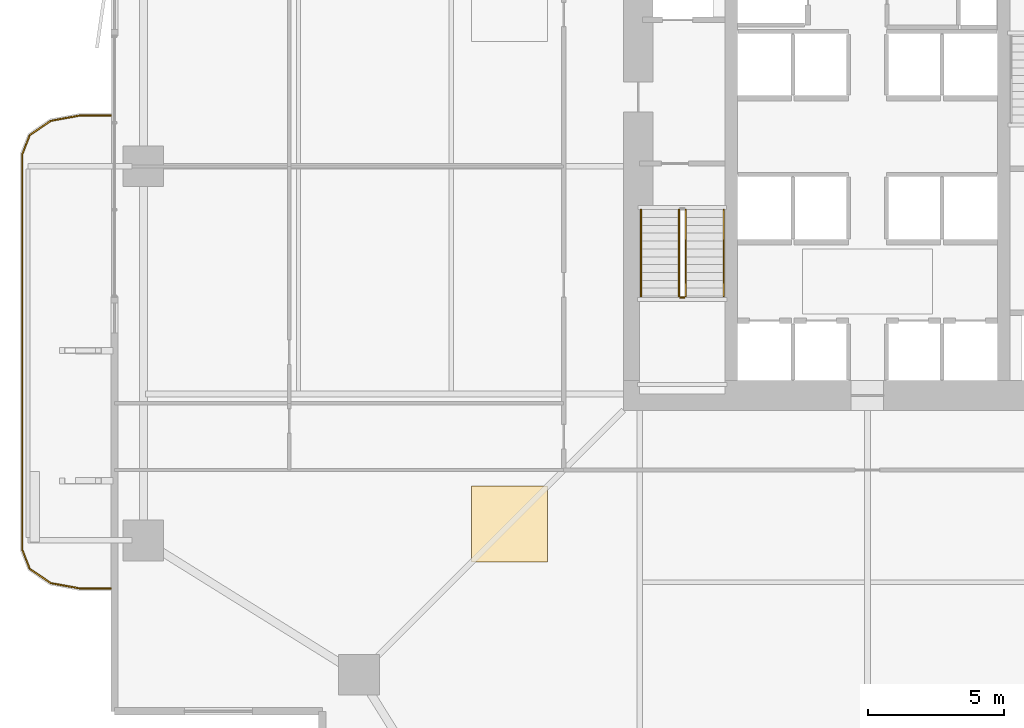
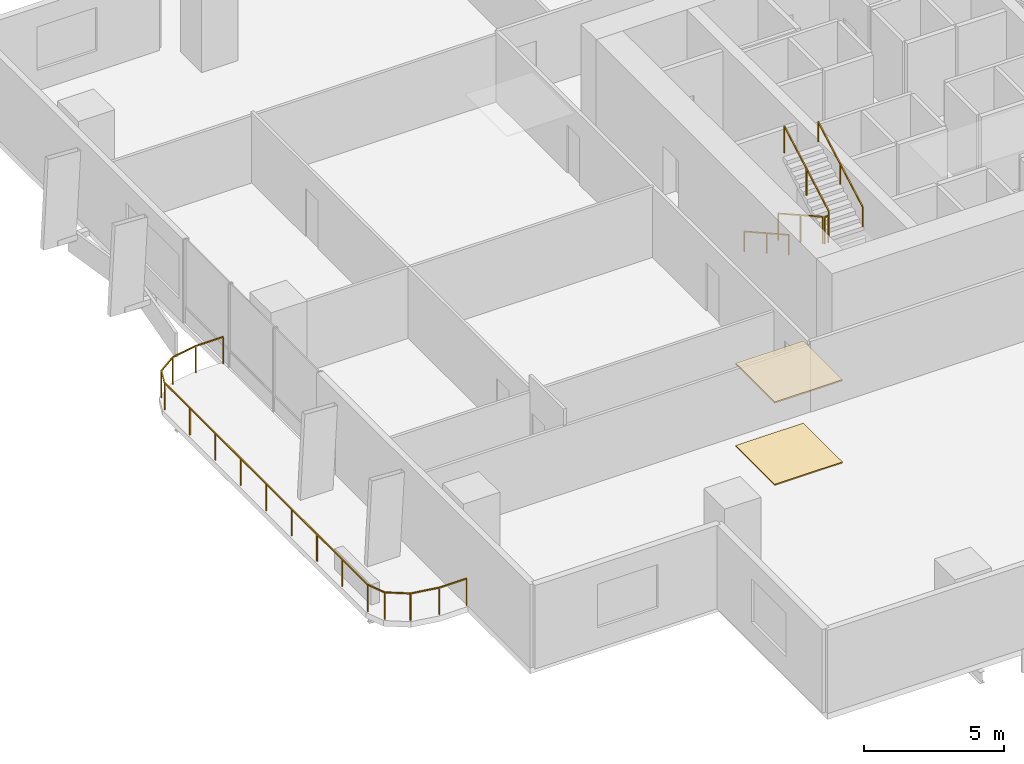
# One storey, part 21 of 24: 6 railings, 2 coverings.
"""IFC4 building model written with IfcOpenShell, lengths in metres."""

from ifc_helpers import new_model, si_unit, direction, frame, origin, origin_2d, place, context, subcontext, project, spatial, polyline, rectangle, outline, extrude, material, layer, layer_set, type_object, element, save


model = new_model("IFC4")

# Units and contexts
model_context = context("Model", 3, precision=1e-05, world=origin(), true_north=direction((0.0, 1.0)))
body_context = subcontext(model_context, "Body", "Model", "MODEL_VIEW")
ifc_project = project(units=[si_unit("LENGTHUNIT", "METRE"), si_unit("AREAUNIT", "SQUARE_METRE"), si_unit("VOLUMEUNIT", "CUBIC_METRE"), si_unit("PLANEANGLEUNIT", "RADIAN"), si_unit("MASSUNIT", "GRAM", prefix="KILO")], contexts=[model_context])

# Site, building, storey
site_placement = place(None, origin())
site = spatial("IfcSite", under=ifc_project, at=site_placement, CompositionType="ELEMENT")
building_placement = place(site_placement, origin())
building = spatial("IfcBuilding", under=site, at=building_placement, Name="Belovzor Exchange Tower", CompositionType="ELEMENT")
storey_placement = place(building_placement, frame((0.0, 0.0, 72.89990234375)))
storey = spatial("IfcBuildingStorey", under=building, at=storey_placement, Name="L17", CompositionType="ELEMENT", Elevation=72.89990234375)

# Railings
ifc_material_1 = material(Name="Stainless Steel Grade 304", Category="steel")
railing_type_1 = type_object("IfcRailingType", Name="Brushed Stainless Steel Stair Handrail 900", PredefinedType="HANDRAIL", material=ifc_material_1)
railing_1_placement = place(storey_placement, frame((20.449951171875, 27.199951171875, 0.16259765625)))
element("IfcRailing", 1, at=railing_1_placement, inside=storey, type_object=railing_type_1, Name="L17 ST-1 stair handrail 1", PredefinedType="HANDRAIL", context=body_context, shape_type="SweptSolid", body=[
    extrude(rectangle(XDim=0.048095703125, YDim=0.048095703125, at=origin_2d()), frame((0.0, 0.0, 0.8759765625), z_axis=(0.0, -0.8723625253, 0.488859514025), x_axis=(1.0, 0.0, 0.0)), (0.0, 0.0, 1.0), 3.65673828125),
    extrude(rectangle(XDim=0.0419921875, YDim=0.0419921875, at=origin_2d()), origin(), (0.0, 0.0, 1.0), 0.851806640625),
    extrude(rectangle(XDim=0.0419921875, YDim=0.0419921875, at=origin_2d()), frame((0.0, -1.594970703125, 0.893798828125)), (0.0, 0.0, 1.0), 0.851806640625),
    extrude(rectangle(XDim=0.0419921875, YDim=0.0419921875, at=origin_2d()), frame((0.0, -3.18994140625, 1.78759765625)), (0.0, 0.0, 1.0), 0.851806640625),
])
railing_2_placement = place(storey_placement, frame((23.5, 24.010009765625, 2.112548828125)))
element("IfcRailing", 2, at=railing_2_placement, inside=storey, type_object=railing_type_1, Name="L17 ST-1 stair handrail 2", PredefinedType="HANDRAIL", context=body_context, shape_type="SweptSolid", body=[
    extrude(rectangle(XDim=0.048095703125, YDim=0.048095703125, at=origin_2d()), frame((0.0, 0.0, 0.8759765625), z_axis=(0.0, 0.8723625253, 0.488859514025), x_axis=(-1.0, 0.0, 0.0)), (0.0, 0.0, 1.0), 3.65673828125),
    extrude(rectangle(XDim=0.0419921875, YDim=0.0419921875, at=origin_2d()), origin(), (0.0, 0.0, 1.0), 0.851806640625),
    extrude(rectangle(XDim=0.0419921875, YDim=0.0419921875, at=origin_2d()), frame((0.0, 1.594970703125, 0.893798828125)), (0.0, 0.0, 1.0), 0.851806640625),
    extrude(rectangle(XDim=0.0419921875, YDim=0.0419921875, at=origin_2d()), frame((0.0, 3.18994140625, 1.78759765625)), (0.0, 0.0, 1.0), 0.851806640625),
])
ifc_material_2 = material(Name="Stainless Steel and Laminated Safety Glass", Category="steel")
railing_type_2 = type_object("IfcRailingType", Name="Laminated Glass & Stainless Steel Balcony Balustrade 1200", PredefinedType="BALUSTRADE", material=ifc_material_2)
railing_3_placement = place(storey_placement, frame((0.889892578125, 30.669921875, 0.0)))
element("IfcRailing", 3, at=railing_3_placement, inside=storey, type_object=railing_type_2, Name="GR-1 Balcony Balustrade L17 West", PredefinedType="BALUSTRADE", context=body_context, shape_type="SweptSolid", body=[
    extrude(rectangle(XDim=0.048095703125, YDim=0.048095703125, at=origin_2d()), frame((0.0, 0.0, 1.17578125), z_axis=(-1.0, 0.0, 0.0), x_axis=(0.0, -1.0, 0.0)), (0.0, 0.0, 1.0), 1.1328125),
    extrude(rectangle(XDim=0.048095703125, YDim=0.048095703125, at=origin_2d()), frame((-1.1328125, 0.0, 1.17578125), z_axis=(-0.983651385113, -0.180083182347, 0.0), x_axis=(0.180083182347, -0.983651385113, 0.0)), (0.0, 0.0, 1.0), 1.093994140625),
    extrude(rectangle(XDim=0.048095703125, YDim=0.048095703125, at=origin_2d()), frame((-2.208984375, -0.197021484375, 1.17578125), z_axis=(-0.826614792125, -0.562768145367, 0.0), x_axis=(0.562768145367, -0.826614792125, 0.0)), (0.0, 0.0, 1.0), 0.9326171875),
    extrude(rectangle(XDim=0.048095703125, YDim=0.048095703125, at=origin_2d()), frame((-2.97998046875, -0.721923828125, 1.17578125), z_axis=(-0.365612923861, -0.930766990125, 0.0), x_axis=(0.930766990125, -0.365612923861, 0.0)), (0.0, 0.0, 1.0), 0.765869140625),
    extrude(rectangle(XDim=0.048095703125, YDim=0.048095703125, at=origin_2d()), frame((-3.260009765625, -1.434814453125, 1.17578125), z_axis=(0.0, -1.0, 0.0), x_axis=(1.0, 0.0, 0.0)), (0.0, 0.0, 1.0), 14.570068359375),
    extrude(rectangle(XDim=0.048095703125, YDim=0.048095703125, at=origin_2d()), frame((-3.260009765625, -16.0048828125, 1.17578125), z_axis=(0.365504480807, -0.930809580156, 0.0), x_axis=(0.930809580156, 0.365504480807, 0.0)), (0.0, 0.0, 1.0), 0.76611328125),
    extrude(rectangle(XDim=0.048095703125, YDim=0.048095703125, at=origin_2d()), frame((-2.97998046875, -16.718017578125, 1.17578125), z_axis=(0.826614792125, -0.562768145367, 0.0), x_axis=(0.562768145367, 0.826614792125, 0.0)), (0.0, 0.0, 1.0), 0.9326171875),
    extrude(rectangle(XDim=0.048095703125, YDim=0.048095703125, at=origin_2d()), frame((-2.208984375, -17.242919921875, 1.17578125), z_axis=(0.983651385113, -0.180083182347, 0.0), x_axis=(0.180083182347, 0.983651385113, 0.0)), (0.0, 0.0, 1.0), 1.093994140625),
    extrude(rectangle(XDim=0.048095703125, YDim=0.048095703125, at=origin_2d()), frame((-1.1328125, -17.43994140625, 1.17578125), z_axis=(1.0, 0.0, 0.0), x_axis=(0.0, 1.0, 0.0)), (0.0, 0.0, 1.0), 1.1328125),
    extrude(rectangle(XDim=0.0419921875, YDim=0.0419921875, at=origin_2d()), origin(), (0.0, 0.0, 1.0), 1.15185546875),
    extrude(rectangle(XDim=0.0419921875, YDim=0.0419921875, at=origin_2d()), frame((-1.1328125, 0.0, 0.0)), (0.0, 0.0, 1.0), 1.15185546875),
    extrude(rectangle(XDim=0.0419921875, YDim=0.0419921875, at=origin_2d()), frame((-2.208984375, -0.197021484375, 0.0)), (0.0, 0.0, 1.0), 1.15185546875),
    extrude(rectangle(XDim=0.0419921875, YDim=0.0419921875, at=origin_2d()), frame((-2.97998046875, -0.721923828125, 0.0)), (0.0, 0.0, 1.0), 1.15185546875),
    extrude(rectangle(XDim=0.0419921875, YDim=0.0419921875, at=origin_2d()), frame((-3.260009765625, -1.434814453125, 0.0)), (0.0, 0.0, 1.0), 1.15185546875),
    extrude(rectangle(XDim=0.0419921875, YDim=0.0419921875, at=origin_2d()), frame((-3.260009765625, -3.256103515625, 0.0)), (0.0, 0.0, 1.0), 1.15185546875),
    extrude(rectangle(XDim=0.0419921875, YDim=0.0419921875, at=origin_2d()), frame((-3.260009765625, -5.077392578125, 0.0)), (0.0, 0.0, 1.0), 1.15185546875),
    extrude(rectangle(XDim=0.0419921875, YDim=0.0419921875, at=origin_2d()), frame((-3.260009765625, -6.898681640625, 0.0)), (0.0, 0.0, 1.0), 1.15185546875),
    extrude(rectangle(XDim=0.0419921875, YDim=0.0419921875, at=origin_2d()), frame((-3.260009765625, -8.7197265625, 0.0)), (0.0, 0.0, 1.0), 1.15185546875),
    extrude(rectangle(XDim=0.0419921875, YDim=0.0419921875, at=origin_2d()), frame((-3.260009765625, -10.541015625, 0.0)), (0.0, 0.0, 1.0), 1.15185546875),
    extrude(rectangle(XDim=0.0419921875, YDim=0.0419921875, at=origin_2d()), frame((-3.260009765625, -12.3623046875, 0.0)), (0.0, 0.0, 1.0), 1.15185546875),
    extrude(rectangle(XDim=0.0419921875, YDim=0.0419921875, at=origin_2d()), frame((-3.260009765625, -14.18359375, 0.0)), (0.0, 0.0, 1.0), 1.15185546875),
    extrude(rectangle(XDim=0.0419921875, YDim=0.0419921875, at=origin_2d()), frame((-3.260009765625, -16.0048828125, 0.0)), (0.0, 0.0, 1.0), 1.15185546875),
    extrude(rectangle(XDim=0.0419921875, YDim=0.0419921875, at=origin_2d()), frame((-2.97998046875, -16.718017578125, 0.0)), (0.0, 0.0, 1.0), 1.15185546875),
    extrude(rectangle(XDim=0.0419921875, YDim=0.0419921875, at=origin_2d()), frame((-2.208984375, -17.242919921875, 0.0)), (0.0, 0.0, 1.0), 1.15185546875),
    extrude(rectangle(XDim=0.0419921875, YDim=0.0419921875, at=origin_2d()), frame((-1.1328125, -17.43994140625, 0.0)), (0.0, 0.0, 1.0), 1.15185546875),
    extrude(rectangle(XDim=0.0419921875, YDim=0.0419921875, at=origin_2d()), frame((0.0, -17.43994140625, 0.0)), (0.0, 0.0, 1.0), 1.15185546875),
])
ifc_material_3 = material(Name="Steel S355", Category="steel")
railing_type_3 = type_object("IfcRailingType", Name="Painted Steel Stairwell Guardrail 1200", PredefinedType="GUARDRAIL", material=ifc_material_3)
railing_4_placement = place(storey_placement, frame((21.85009765625, 27.199951171875, 0.16259765625)))
element("IfcRailing", 4, at=railing_4_placement, inside=storey, type_object=railing_type_3, Name="L17 ST-1 stair guard 1", PredefinedType="GUARDRAIL", context=body_context, shape_type="SweptSolid", body=[
    extrude(rectangle(XDim=0.048095703125, YDim=0.048095703125, at=origin_2d()), frame((0.0, 0.0, 1.17578125), z_axis=(0.0, -0.8723625253, 0.488859514025), x_axis=(1.0, 0.0, 0.0)), (0.0, 0.0, 1.0), 3.65673828125),
    extrude(rectangle(XDim=0.0419921875, YDim=0.0419921875, at=origin_2d()), origin(), (0.0, 0.0, 1.0), 1.15185546875),
    extrude(rectangle(XDim=0.0419921875, YDim=0.0419921875, at=origin_2d()), frame((0.0, -1.594970703125, 0.893798828125)), (0.0, 0.0, 1.0), 1.15185546875),
    extrude(rectangle(XDim=0.0419921875, YDim=0.0419921875, at=origin_2d()), frame((0.0, -3.18994140625, 1.78759765625)), (0.0, 0.0, 1.0), 1.15185546875),
])
railing_5_placement = place(storey_placement, frame((21.89990234375, 23.9599609375, 1.9501953125)))
element("IfcRailing", 5, at=railing_5_placement, inside=storey, type_object=railing_type_3, Name="L17 ST-1 stair guard 2", PredefinedType="GUARDRAIL", context=body_context, shape_type="SweptSolid", body=[
    extrude(rectangle(XDim=0.048095703125, YDim=0.048095703125, at=origin_2d()), frame((0.0, 0.0, 1.17578125), z_axis=(1.0, 0.0, 0.0), x_axis=(0.0, 1.0, 0.0)), (0.0, 0.0, 1.0), 0.150146484375),
    extrude(rectangle(XDim=0.0419921875, YDim=0.0419921875, at=origin_2d()), origin(), (0.0, 0.0, 1.0), 1.15185546875),
    extrude(rectangle(XDim=0.0419921875, YDim=0.0419921875, at=origin_2d()), frame((0.150146484375, 0.0, 0.0)), (0.0, 0.0, 1.0), 1.15185546875),
])
railing_6_placement = place(storey_placement, frame((22.10009765625, 24.010009765625, 2.112548828125)))
element("IfcRailing", 6, at=railing_6_placement, inside=storey, type_object=railing_type_3, Name="L17 ST-1 stair guard 3", PredefinedType="GUARDRAIL", context=body_context, shape_type="SweptSolid", body=[
    extrude(rectangle(XDim=0.048095703125, YDim=0.048095703125, at=origin_2d()), frame((0.0, 0.0, 1.17578125), z_axis=(0.0, 0.8723625253, 0.488859514025), x_axis=(-1.0, 0.0, 0.0)), (0.0, 0.0, 1.0), 3.65673828125),
    extrude(rectangle(XDim=0.0419921875, YDim=0.0419921875, at=origin_2d()), origin(), (0.0, 0.0, 1.0), 1.15185546875),
    extrude(rectangle(XDim=0.0419921875, YDim=0.0419921875, at=origin_2d()), frame((0.0, 1.594970703125, 0.893798828125)), (0.0, 0.0, 1.0), 1.15185546875),
    extrude(rectangle(XDim=0.0419921875, YDim=0.0419921875, at=origin_2d()), frame((0.0, 3.18994140625, 1.78759765625)), (0.0, 0.0, 1.0), 1.15185546875),
])

# Coverings
ifc_material_4 = material(Name="Perforated Powder-Coated Aluminium", Category="aluminium")
ifc_layer_1 = layer(ifc_material_4, 0.06005859375)
ifc_layer_set_1 = layer_set([ifc_layer_1], Name="Perforated Powder-Coated Aluminium")
covering_type_1 = type_object("IfcCoveringType", Name="Perforated Acoustic Metal Tile Suspended Ceiling 60", PredefinedType="CEILING", material=ifc_layer_set_1)
covering_1_placement = place(storey_placement, frame((0.0, 0.0, 3.590087890625)))
element("IfcCovering", 7, at=covering_1_placement, inside=storey, type_object=covering_type_1, Name="CLG-AC60 Suspended Ceiling CLG-L17-Z0", PredefinedType="CEILING", context=body_context, shape_type="SweptSolid", body=[
    extrude(outline(polyline([(14.199951171875, 14.199951171875), (17.0, 14.199951171875), (17.0, 17.0), (14.199951171875, 17.0), (14.199951171875, 14.199951171875)])), origin(), (0.0, 0.0, 1.0), 0.06005859375),
])
ifc_material_5 = material(Name="Polished Natural Granite Tile", Category="masonry")
ifc_layer_2 = layer(ifc_material_5, 0.050048828125)
ifc_layer_set_2 = layer_set([ifc_layer_2], Name="Polished Natural Granite Tile")
covering_type_2 = type_object("IfcCoveringType", Name="Polished Karelian Granite & Raised Access Floor Finish 50", PredefinedType="FLOORING", material=ifc_layer_set_2)
covering_2_placement = place(storey_placement, origin())
element("IfcCovering", 8, at=covering_2_placement, inside=storey, type_object=covering_type_2, Name="FLR-GR50 Floor Finish FLR-L17-Z0", PredefinedType="FLOORING", context=body_context, shape_type="SweptSolid", body=[
    extrude(outline(polyline([(14.199951171875, 14.199951171875), (17.0, 14.199951171875), (17.0, 17.0), (14.199951171875, 17.0), (14.199951171875, 14.199951171875)])), origin(), (0.0, 0.0, 1.0), 0.050048828125),
])

save(model, "model.ifc")
